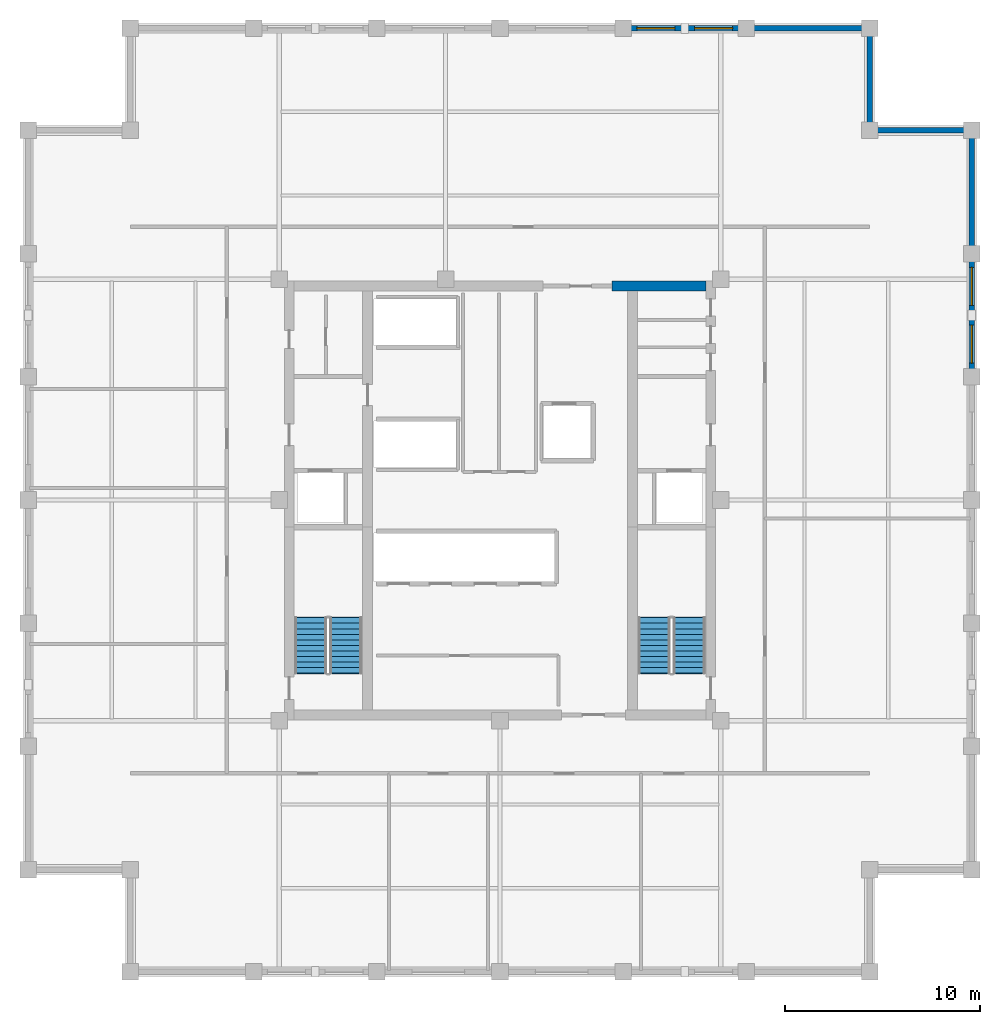
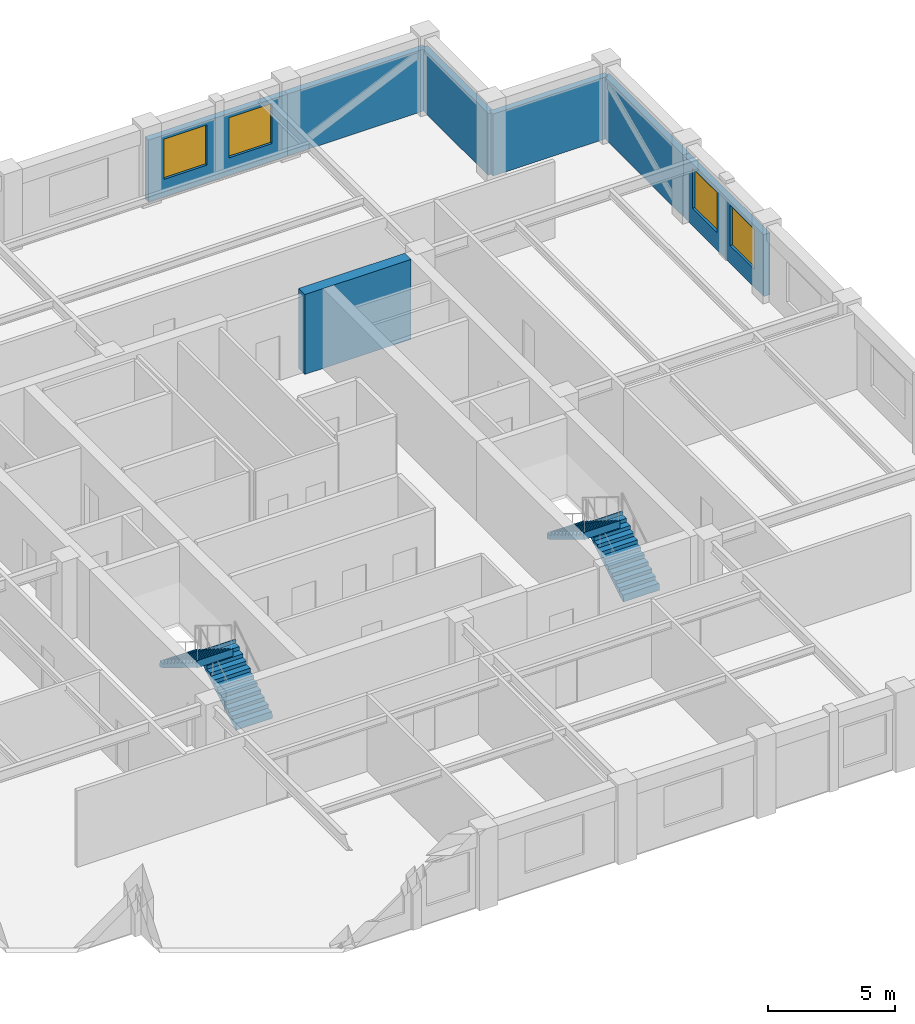
# One storey, part 5 of 6: 7 walls, 4 stair flights, 4 windows, 4 openings, 2 elements without a shape of their own.
"""IFC4 building model written with IfcOpenShell, lengths in metres."""

from ifc_helpers import new_model, si_unit, direction, frame, frame_2d, origin, place, context, subcontext, project, spatial, polyline, rectangle, outline, extrude, material, layer, layer_set, type_object, element, fill, aggregate, save


model = new_model("IFC4")

# Units and contexts
model_context = context("Model", 3, precision=1e-05, world=origin(), true_north=direction((0.0, 1.0)))
body_context = subcontext(model_context, "Body", "Model", "MODEL_VIEW")
ifc_project = project(units=[si_unit("LENGTHUNIT", "METRE"), si_unit("AREAUNIT", "SQUARE_METRE"), si_unit("VOLUMEUNIT", "CUBIC_METRE"), si_unit("PLANEANGLEUNIT", "RADIAN"), si_unit("MASSUNIT", "GRAM", prefix="KILO")], contexts=[model_context])

# Site, building, storey
site_placement = place(None, origin())
site = spatial("IfcSite", under=ifc_project, at=site_placement, CompositionType="ELEMENT")
building_placement = place(site_placement, origin())
building = spatial("IfcBuilding", under=site, at=building_placement, Name="Nhamokura Convention Tower", CompositionType="ELEMENT")
storey_placement = place(building_placement, frame((0.0, 0.0, 225.39990234375)))
storey = spatial("IfcBuildingStorey", under=building, at=storey_placement, Name="L55", CompositionType="ELEMENT", Elevation=225.39990234375)

# Wall, openings, windows
ifc_material_1 = material(Name="Bronze-pigmented precast concrete C45/55", Category="concrete")
ifc_layer_1 = layer(ifc_material_1, 0.280029296875)
ifc_layer_set_1 = layer_set([ifc_layer_1], Name="BronzePrecastSpandrel_280")
wall_type_1 = type_object("IfcWallType", Name="BronzePrecastSpandrel_280", PredefinedType="USERDEFINED", material=ifc_layer_set_1)
wall_1_placement = place(storey_placement, frame((38.333251953125, 56.25, 0.0), z_axis=(0.0, 0.0, 1.0), x_axis=(1.0, 0.0, 0.0)))
wall_1 = element("IfcWall", 1, at=wall_1_placement, inside=storey, type_object=wall_type_1, Name="L55 Masonry-Frame Wall NORTH 4", ObjectType="SPANDREL_WALL", PredefinedType="USERDEFINED", context=body_context, shape_type="SweptSolid", body=[
    extrude(rectangle(XDim=6.33349609375, YDim=0.280029296875, at=frame_2d((3.166748046875, 0.0))), origin(), (0.0, 0.0, 1.0), 2.985107421875),
])
opening_1_placement = place(wall_1_placement, frame((0.708251953125, 0.0, 0.85009765625)))
opening_1 = element("IfcOpeningElement", 2, at=opening_1_placement, cuts=wall_1, Name="Opening W-08", PredefinedType="OPENING", context=body_context, shape_type="SweptSolid", body=[
    extrude(rectangle(XDim=1.949951171875, YDim=1.93505859375, at=frame_2d((0.97509765625, 0.967529296875))), frame((0.0, 0.14990234375, 0.0), z_axis=(0.0, -1.0, 0.0), x_axis=(1.0, 0.0, 0.0)), (0.0, 0.0, 1.0), 0.300048828125),
])
opening_2_placement = place(wall_1_placement, frame((3.675048828125, 0.0, 0.85009765625)))
opening_2 = element("IfcOpeningElement", 3, at=opening_2_placement, cuts=wall_1, Name="Opening W-08", PredefinedType="OPENING", context=body_context, shape_type="SweptSolid", body=[
    extrude(rectangle(XDim=1.949951171875, YDim=1.93505859375, at=frame_2d((0.97509765625, 0.967529296875))), frame((0.0, 0.14990234375, 0.0), z_axis=(0.0, -1.0, 0.0), x_axis=(1.0, 0.0, 0.0)), (0.0, 0.0, 1.0), 0.300048828125),
])
ifc_material_2 = material(Name="Solar-control bronze low-E double glass", Category="glass")
window_type = type_object("IfcWindowType", Name="OfficeModuleWindow_Z3_1950", PartitioningType="SINGLE_PANEL", PredefinedType="WINDOW", material=ifc_material_2)
window_1_placement = place(opening_1_placement, origin())
window_1 = element("IfcWindow", 4, at=window_1_placement, inside=storey, type_object=window_type, Name="L55 Facade Window NORTH 4-1", OverallHeight=1.93505859375, OverallWidth=1.949951171875, PartitioningType="SINGLE_PANEL", PredefinedType="WINDOW", context=body_context, shape_type="SweptSolid", body=[
    extrude(rectangle(XDim=1.949951171875, YDim=1.93505859375, at=frame_2d((0.97509765625, 0.967529296875))), frame((0.0, 0.030029296875, 0.0), z_axis=(0.0, -1.0, 0.0), x_axis=(1.0, 0.0, 0.0)), (0.0, 0.0, 1.0), 0.06005859375),
])
fill(opening_1, window_1)
window_2_placement = place(opening_2_placement, origin())
window_2 = element("IfcWindow", 5, at=window_2_placement, inside=storey, type_object=window_type, Name="L55 Facade Window NORTH 4-2", OverallHeight=1.93505859375, OverallWidth=1.949951171875, PartitioningType="SINGLE_PANEL", PredefinedType="WINDOW", context=body_context, shape_type="SweptSolid", body=[
    extrude(rectangle(XDim=1.949951171875, YDim=1.93505859375, at=frame_2d((0.97509765625, 0.967529296875))), frame((0.0, 0.030029296875, 0.0), z_axis=(0.0, -1.0, 0.0), x_axis=(1.0, 0.0, 0.0)), (0.0, 0.0, 1.0), 0.06005859375),
])
fill(opening_2, window_2)

# Wall
wall_2_placement = place(storey_placement, frame((44.666748046875, 56.25, 0.0), z_axis=(0.0, 0.0, 1.0), x_axis=(1.0, 0.0, 0.0)))
element("IfcWall", 6, at=wall_2_placement, inside=storey, type_object=wall_type_1, Name="L55 Braced-Bay Precast Wall NORTH 5", ObjectType="SPANDREL_WALL", PredefinedType="USERDEFINED", context=body_context, shape_type="SweptSolid", body=[
    extrude(rectangle(XDim=6.333251953125, YDim=0.280029296875, at=frame_2d((3.16650390625, 0.0))), origin(), (0.0, 0.0, 1.0), 2.985107421875),
])

# Wall, openings, windows
wall_3_placement = place(storey_placement, frame((56.25, 44.666748046875, 0.0), z_axis=(0.0, 0.0, 1.0), x_axis=(0.0, -1.0, 0.0)))
wall_3 = element("IfcWall", 7, at=wall_3_placement, inside=storey, type_object=wall_type_1, Name="L55 Masonry-Frame Wall EAST 4", ObjectType="SPANDREL_WALL", PredefinedType="USERDEFINED", context=body_context, shape_type="SweptSolid", body=[
    extrude(rectangle(XDim=6.33349609375, YDim=0.280029296875, at=frame_2d((3.166748046875, 0.0))), origin(), (0.0, 0.0, 1.0), 2.985107421875),
])
opening_3_placement = place(wall_3_placement, frame((0.708251953125, 0.0, 0.85009765625)))
opening_3 = element("IfcOpeningElement", 8, at=opening_3_placement, cuts=wall_3, Name="Opening W-08", PredefinedType="OPENING", context=body_context, shape_type="SweptSolid", body=[
    extrude(rectangle(XDim=1.949951171875, YDim=1.93505859375, at=frame_2d((0.97509765625, 0.967529296875))), frame((0.0, 0.14990234375, 0.0), z_axis=(0.0, -1.0, 0.0), x_axis=(1.0, 0.0, 0.0)), (0.0, 0.0, 1.0), 0.300048828125),
])
opening_4_placement = place(wall_3_placement, frame((3.675048828125, 0.0, 0.85009765625)))
opening_4 = element("IfcOpeningElement", 9, at=opening_4_placement, cuts=wall_3, Name="Opening W-08", PredefinedType="OPENING", context=body_context, shape_type="SweptSolid", body=[
    extrude(rectangle(XDim=1.949951171875, YDim=1.93505859375, at=frame_2d((0.97509765625, 0.967529296875))), frame((0.0, 0.14990234375, 0.0), z_axis=(0.0, -1.0, 0.0), x_axis=(1.0, 0.0, 0.0)), (0.0, 0.0, 1.0), 0.300048828125),
])
window_3_placement = place(opening_3_placement, origin())
window_3 = element("IfcWindow", 10, at=window_3_placement, inside=storey, type_object=window_type, Name="L55 Facade Window EAST 4-1", OverallHeight=1.93505859375, OverallWidth=1.949951171875, PartitioningType="SINGLE_PANEL", PredefinedType="WINDOW", context=body_context, shape_type="SweptSolid", body=[
    extrude(rectangle(XDim=1.949951171875, YDim=1.93505859375, at=frame_2d((0.97509765625, 0.967529296875))), frame((0.0, 0.030029296875, 0.0), z_axis=(0.0, -1.0, 0.0), x_axis=(1.0, 0.0, 0.0)), (0.0, 0.0, 1.0), 0.06005859375),
])
fill(opening_3, window_3)
window_4_placement = place(opening_4_placement, origin())
window_4 = element("IfcWindow", 11, at=window_4_placement, inside=storey, type_object=window_type, Name="L55 Facade Window EAST 4-2", OverallHeight=1.93505859375, OverallWidth=1.949951171875, PartitioningType="SINGLE_PANEL", PredefinedType="WINDOW", context=body_context, shape_type="SweptSolid", body=[
    extrude(rectangle(XDim=1.949951171875, YDim=1.93505859375, at=frame_2d((0.97509765625, 0.967529296875))), frame((0.0, 0.030029296875, 0.0), z_axis=(0.0, -1.0, 0.0), x_axis=(1.0, 0.0, 0.0)), (0.0, 0.0, 1.0), 0.06005859375),
])
fill(opening_4, window_4)

# Walls
wall_4_placement = place(storey_placement, frame((56.25, 51.0, 0.0), z_axis=(0.0, 0.0, 1.0), x_axis=(0.0, -1.0, 0.0)))
element("IfcWall", 12, at=wall_4_placement, inside=storey, type_object=wall_type_1, Name="L55 Braced-Bay Precast Wall EAST 5", ObjectType="SPANDREL_WALL", PredefinedType="USERDEFINED", context=body_context, shape_type="SweptSolid", body=[
    extrude(rectangle(XDim=6.333251953125, YDim=0.280029296875, at=frame_2d((3.16650390625, 0.0))), origin(), (0.0, 0.0, 1.0), 2.985107421875),
])
for number, where, z_axis, x_axis, name in (
    (13, (51.0, 51.0, 0.0), (0.0, 0.0, 1.0), (1.0, 0.0, 0.0), "L55 Notched Corner Wall NE1"),
    (14, (51.0, 56.25, 0.0), (0.0, 0.0, 1.0), (0.0, -1.0, 0.0), "L55 Notched Corner Wall NE2"),
):
    element("IfcWall", number, at=place(storey_placement, frame(where, z_axis=z_axis, x_axis=x_axis)), inside=storey, type_object=wall_type_1, Name=name, ObjectType="SPANDREL_WALL", PredefinedType="USERDEFINED", context=body_context, shape_type="SweptSolid", body=[
        extrude(rectangle(XDim=5.25, YDim=0.280029296875, at=frame_2d((2.625, 0.0))), origin(), (0.0, 0.0, 1.0), 2.985107421875),
    ])
ifc_material_3 = material(Name="Concrete C60/75", Category="concrete")
ifc_layer_2 = layer(ifc_material_3, 0.5)
ifc_layer_set_2 = layer_set([ifc_layer_2], Name="CoreShearWall_500")
wall_type_2 = type_object("IfcWallType", Name="CoreShearWall_500", PredefinedType="SHEAR", material=ifc_layer_set_2)
wall_5_placement = place(storey_placement, frame((37.75, 43.0, 0.0), z_axis=(0.0, 0.0, 1.0), x_axis=(1.0, 0.0, 0.0)))
element("IfcWall", 15, at=wall_5_placement, inside=storey, type_object=wall_type_2, Name="L55 Core Shear Wall CW-N2", PredefinedType="SHEAR", context=body_context, shape_type="SweptSolid", body=[
    extrude(rectangle(XDim=4.840087890625, YDim=0.5, at=frame_2d((2.419921875, 0.0))), origin(), (0.0, 0.0, 1.0), 3.85009765625),
])

# Stair, stair flights
ifc_material_4 = material(Name="Concrete C40/50", Category="concrete")
stair_type = type_object("IfcStairType", Name="TowerCoreStair_1650", PredefinedType="HALF_TURN_STAIR", material=ifc_material_4)
stair_1_placement = place(storey_placement, origin())
stair_1 = element("IfcStair", 16, at=stair_1_placement, inside=storey, type_object=stair_type, Name="L55 West Core Smokeproof Stair ST-01", PredefinedType="HALF_TURN_STAIR")
ifc_material_5 = material(Name="Concrete C40/50", Category="concrete")
stair_flight_type = type_object("IfcStairFlightType", Name="TowerCoreStair_1650_Flight", PredefinedType="STRAIGHT", material=ifc_material_5)
stair_flight_1_placement = place(storey_placement, frame((24.074951171875, 23.10009765625, 0.0), z_axis=(0.0, 0.0, 1.0), x_axis=(0.0, 1.0, 0.0)))
stair_flight_1 = element("IfcStairFlight", 17, at=stair_flight_1_placement, type_object=stair_flight_type, Name="ST-01 flight 1", NumberOfRisers=11, NumberOfTreads=10, PredefinedType="STRAIGHT", RiserHeight=0.175, TreadLength=0.285, context=body_context, shape_type="SweptSolid", body=[
    extrude(outline(polyline([(-0.0419921875, 0.0), (0.0, 0.175048828125), (0.284912109375, 0.175048828125), (0.284912109375, 0.35009765625), (0.570068359375, 0.35009765625), (0.570068359375, 0.52490234375), (0.85498046875, 0.52490234375), (0.85498046875, 0.699951171875), (1.139892578125, 0.699951171875), (1.139892578125, 0.875), (1.425048828125, 0.875), (1.425048828125, 1.050048828125), (1.7099609375, 1.050048828125), (1.7099609375, 1.22509765625), (1.9951171875, 1.22509765625), (1.9951171875, 1.39990234375), (2.280029296875, 1.39990234375), (2.280029296875, 1.574951171875), (2.56494140625, 1.574951171875), (2.56494140625, 1.75), (2.85009765625, 1.75), (2.85009765625, 1.925048828125), (2.89208984375, 1.925048828125), (2.89208984375, 1.573974609375), (2.85009765625, 1.573974609375), (0.286376953125, 0.0), (0.02001953125, -0.1298828125), (-0.0419921875, -0.1298828125), (-0.0419921875, 0.0)])), frame((0.0, 0.824951171875, 0.0), z_axis=(0.0, -1.0, 0.0), x_axis=(1.0, 0.0, 0.0)), (0.0, 0.0, 1.0), 1.64990234375),
])
stair_flight_2_placement = place(storey_placement, frame((22.27490234375, 25.949951171875, 1.925048828125), z_axis=(0.0, 0.0, 1.0), x_axis=(0.0, -1.0, 0.0)))
stair_flight_2 = element("IfcStairFlight", 18, at=stair_flight_2_placement, type_object=stair_flight_type, Name="ST-01 flight 2", NumberOfRisers=11, NumberOfTreads=10, PredefinedType="STRAIGHT", RiserHeight=0.175, TreadLength=0.285, context=body_context, shape_type="SweptSolid", body=[
    extrude(outline(polyline([(-0.0419921875, 0.0), (0.0, 0.175048828125), (0.284912109375, 0.175048828125), (0.284912109375, 0.35009765625), (0.570068359375, 0.35009765625), (0.570068359375, 0.52490234375), (0.85498046875, 0.52490234375), (0.85498046875, 0.699951171875), (1.139892578125, 0.699951171875), (1.139892578125, 0.875), (1.425048828125, 0.875), (1.425048828125, 1.050048828125), (1.7099609375, 1.050048828125), (1.7099609375, 1.22509765625), (1.9951171875, 1.22509765625), (1.9951171875, 1.39990234375), (2.280029296875, 1.39990234375), (2.280029296875, 1.574951171875), (2.56494140625, 1.574951171875), (2.56494140625, 1.75), (2.85009765625, 1.75), (2.85009765625, 1.925048828125), (2.89208984375, 1.925048828125), (2.89208984375, 1.573974609375), (2.85009765625, 1.573974609375), (0.286376953125, 0.0), (0.02001953125, -0.1298828125), (-0.0419921875, -0.1298828125), (-0.0419921875, 0.0)])), frame((0.0, 0.824951171875, 0.0), z_axis=(0.0, -1.0, 0.0), x_axis=(1.0, 0.0, 0.0)), (0.0, 0.0, 1.0), 1.64990234375),
])
aggregate(stair_1, [stair_flight_1, stair_flight_2])

stair_2_placement = place(storey_placement, origin())
stair_2 = element("IfcStair", 19, at=stair_2_placement, inside=storey, type_object=stair_type, Name="L55 East Core Smokeproof Stair ST-02", PredefinedType="HALF_TURN_STAIR")
stair_flight_3_placement = place(storey_placement, frame((41.72509765625, 23.10009765625, 0.0), z_axis=(0.0, 0.0, 1.0), x_axis=(0.0, 1.0, 0.0)))
stair_flight_3 = element("IfcStairFlight", 20, at=stair_flight_3_placement, type_object=stair_flight_type, Name="ST-02 flight 1", NumberOfRisers=11, NumberOfTreads=10, PredefinedType="STRAIGHT", RiserHeight=0.175, TreadLength=0.285, context=body_context, shape_type="SweptSolid", body=[
    extrude(outline(polyline([(-0.0419921875, 0.0), (0.0, 0.175048828125), (0.284912109375, 0.175048828125), (0.284912109375, 0.35009765625), (0.570068359375, 0.35009765625), (0.570068359375, 0.52490234375), (0.85498046875, 0.52490234375), (0.85498046875, 0.699951171875), (1.139892578125, 0.699951171875), (1.139892578125, 0.875), (1.425048828125, 0.875), (1.425048828125, 1.050048828125), (1.7099609375, 1.050048828125), (1.7099609375, 1.22509765625), (1.9951171875, 1.22509765625), (1.9951171875, 1.39990234375), (2.280029296875, 1.39990234375), (2.280029296875, 1.574951171875), (2.56494140625, 1.574951171875), (2.56494140625, 1.75), (2.85009765625, 1.75), (2.85009765625, 1.925048828125), (2.89208984375, 1.925048828125), (2.89208984375, 1.573974609375), (2.85009765625, 1.573974609375), (0.286376953125, 0.0), (0.02001953125, -0.1298828125), (-0.0419921875, -0.1298828125), (-0.0419921875, 0.0)])), frame((0.0, 0.824951171875, 0.0), z_axis=(0.0, -1.0, 0.0), x_axis=(1.0, 0.0, 0.0)), (0.0, 0.0, 1.0), 1.64990234375),
])
stair_flight_4_placement = place(storey_placement, frame((39.925048828125, 25.949951171875, 1.925048828125), z_axis=(0.0, 0.0, 1.0), x_axis=(0.0, -1.0, 0.0)))
stair_flight_4 = element("IfcStairFlight", 21, at=stair_flight_4_placement, type_object=stair_flight_type, Name="ST-02 flight 2", NumberOfRisers=11, NumberOfTreads=10, PredefinedType="STRAIGHT", RiserHeight=0.175, TreadLength=0.285, context=body_context, shape_type="SweptSolid", body=[
    extrude(outline(polyline([(-0.0419921875, 0.0), (0.0, 0.175048828125), (0.284912109375, 0.175048828125), (0.284912109375, 0.35009765625), (0.570068359375, 0.35009765625), (0.570068359375, 0.52490234375), (0.85498046875, 0.52490234375), (0.85498046875, 0.699951171875), (1.139892578125, 0.699951171875), (1.139892578125, 0.875), (1.425048828125, 0.875), (1.425048828125, 1.050048828125), (1.7099609375, 1.050048828125), (1.7099609375, 1.22509765625), (1.9951171875, 1.22509765625), (1.9951171875, 1.39990234375), (2.280029296875, 1.39990234375), (2.280029296875, 1.574951171875), (2.56494140625, 1.574951171875), (2.56494140625, 1.75), (2.85009765625, 1.75), (2.85009765625, 1.925048828125), (2.89208984375, 1.925048828125), (2.89208984375, 1.573974609375), (2.85009765625, 1.573974609375), (0.286376953125, 0.0), (0.02001953125, -0.1298828125), (-0.0419921875, -0.1298828125), (-0.0419921875, 0.0)])), frame((0.0, 0.824951171875, 0.0), z_axis=(0.0, -1.0, 0.0), x_axis=(1.0, 0.0, 0.0)), (0.0, 0.0, 1.0), 1.64990234375),
])
aggregate(stair_2, [stair_flight_3, stair_flight_4])

save(model, "model.ifc")
